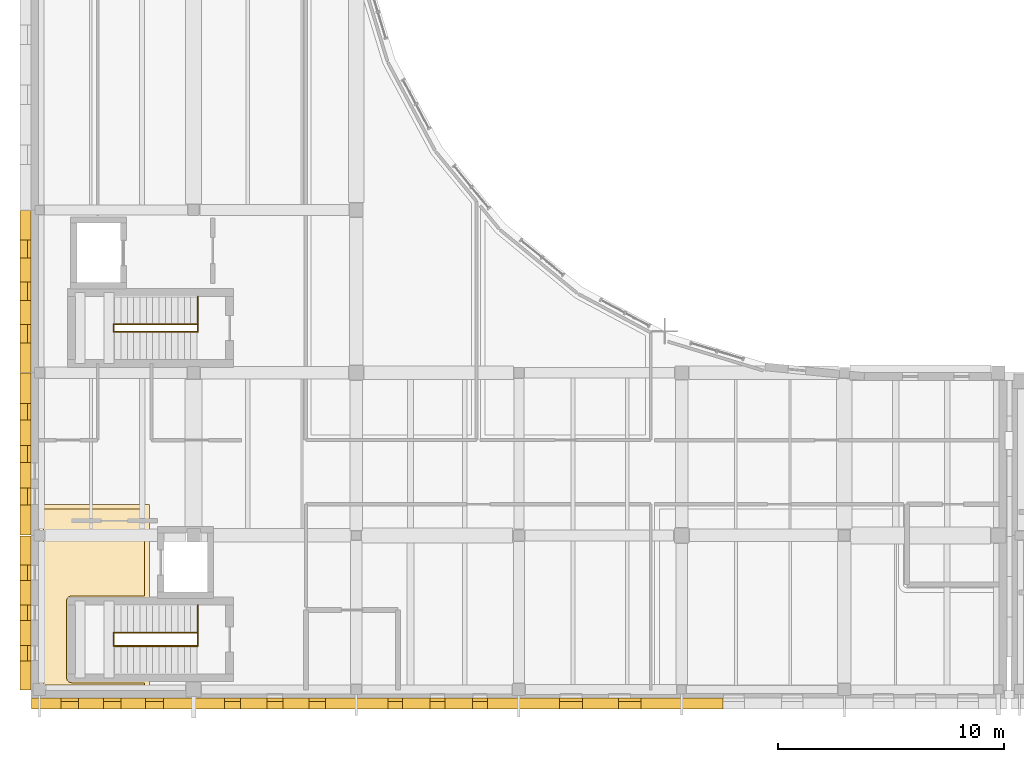
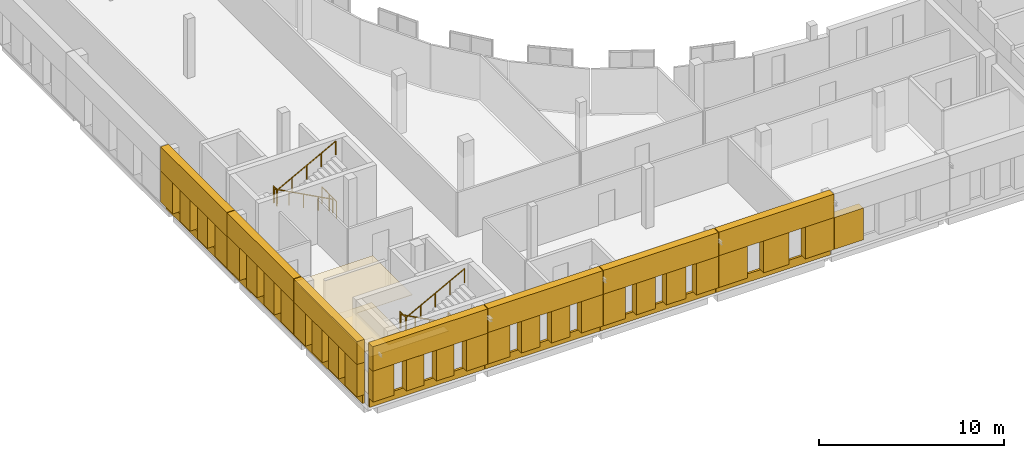
# One storey, part 65 of 76: 44 coverings, 8 railings.
"""IFC4 building model written with IfcOpenShell, lengths in metres."""

from ifc_helpers import new_model, si_unit, direction, frame, origin, origin_2d, place, context, subcontext, project, spatial, polyline, circle, outline, extrude, material, layer, layer_set, type_object, element, save


model = new_model("IFC4")

# Units and contexts
model_context = context("Model", 3, precision=1e-05, world=origin(), true_north=direction((0.0, 1.0)))
body_context = subcontext(model_context, "Body", "Model", "MODEL_VIEW")
ifc_project = project(units=[si_unit("LENGTHUNIT", "METRE"), si_unit("AREAUNIT", "SQUARE_METRE"), si_unit("VOLUMEUNIT", "CUBIC_METRE"), si_unit("PLANEANGLEUNIT", "RADIAN"), si_unit("MASSUNIT", "GRAM", prefix="KILO")], contexts=[model_context])

# Site, building, storey
site_placement = place(None, origin())
site = spatial("IfcSite", under=ifc_project, at=site_placement, CompositionType="ELEMENT")
building_placement = place(site_placement, origin())
building = spatial("IfcBuilding", under=site, at=building_placement, Name="Vardoun Plaza Health Centre", CompositionType="ELEMENT")
storey_placement = place(building_placement, frame((0.0, 0.0, 4.5)))
storey = spatial("IfcBuildingStorey", under=building, at=storey_placement, Name="L01", CompositionType="ELEMENT", Elevation=4.5)

# Coverings
ifc_material_1 = material(Name="Hygienic Acoustic Mineral-Fibre Ceiling", Category="concrete")
ifc_layer_1 = layer(ifc_material_1, 0.02490234375)
ifc_layer_set_1 = layer_set([ifc_layer_1], Name="Hygienic Acoustic Mineral-Fibre Ceiling")
covering_type_1 = type_object("IfcCoveringType", Name="CL-01", PredefinedType="CEILING", material=ifc_layer_set_1)
covering_1_placement = place(storey_placement, frame((0.0, 0.0, 2.8798828125)))
element("IfcCovering", 1, at=covering_1_placement, inside=storey, type_object=covering_type_1, Name="GP Consulting Room 11 A Acoustic Ceiling", PredefinedType="CEILING", context=body_context, shape_type="SweptSolid", body=[
    extrude(outline(polyline([(4.860107421875, 13.070068359375), (9.75, 13.070068359375), (9.75, 8.81005859375), (6.300048828125, 8.81005859375), (6.299072265625, 8.81005859375), (6.298095703125, 8.809814453125), (6.297119140625, 8.8095703125), (6.296142578125, 8.80908203125), (6.29541015625, 8.808837890625), (6.29443359375, 8.808349609375), (6.293701171875, 8.8076171875), (6.29296875, 8.80712890625), (6.292236328125, 8.806396484375), (6.291748046875, 8.8056640625), (6.291259765625, 8.8046875), (6.290771484375, 8.8037109375), (6.290283203125, 8.802978515625), (6.290283203125, 8.802001953125), (6.2900390625, 8.801025390625), (6.2900390625, 8.800048828125), (6.2900390625, 5.39990234375), (6.2900390625, 5.39892578125), (6.290283203125, 5.39794921875), (6.290283203125, 5.397216796875), (6.290771484375, 5.396240234375), (6.291259765625, 5.395263671875), (6.291748046875, 5.394287109375), (6.292236328125, 5.393798828125), (6.29296875, 5.392822265625), (6.293701171875, 5.392333984375), (6.29443359375, 5.3916015625), (6.29541015625, 5.39111328125), (6.296142578125, 5.390869140625), (6.297119140625, 5.390380859375), (6.298095703125, 5.39013671875), (6.299072265625, 5.389892578125), (6.300048828125, 5.389892578125), (9.75, 5.389892578125), (9.75, 4.860107421875), (4.860107421875, 4.860107421875), (4.860107421875, 13.070068359375)])), origin(), (0.0, 0.0, 1.0), 0.025146484375),
])
ifc_material_2 = material(Name="Pale Limestone Concrete C35/45", Category="masonry")
ifc_layer_2 = layer(ifc_material_2, 0.080078125)
ifc_layer_set_2 = layer_set([ifc_layer_2], Name="Pale Limestone Concrete C35/45")
covering_type_2 = type_object("IfcCoveringType", Name="CL-EXT1", PredefinedType="CLADDING", material=ifc_layer_set_2)
covering_2_placement = place(storey_placement, frame((0.0, 0.0, 0.550048828125)))
element("IfcCovering", 2, at=covering_2_placement, inside=storey, type_object=covering_type_2, Name="V2 L01 Deep-Punched Slot Concrete Reveal Pier 93", PredefinedType="CLADDING", context=body_context, shape_type="SweptSolid", body=[
    extrude(outline(polyline([(35.1240234375, 4.5), (33.320068359375, 4.5), (33.320068359375, 4.02001953125), (35.1240234375, 4.02001953125), (35.1240234375, 4.5)])), origin(), (0.0, 0.0, 1.0), 2.099853515625),
])
covering_3_placement = place(storey_placement, origin())
element("IfcCovering", 3, at=covering_3_placement, inside=storey, type_object=covering_type_2, Name="V2 L01 Pale Concrete Sill Band 94", PredefinedType="CLADDING", context=body_context, shape_type="SweptSolid", body=[
    extrude(outline(polyline([(33.280029296875, 4.5), (26.1201171875, 4.5), (26.1201171875, 4.360107421875), (33.280029296875, 4.360107421875), (33.280029296875, 4.5)])), origin(), (0.0, 0.0, 1.0), 0.550048828125),
])
covering_4_placement = place(storey_placement, frame((0.0, 0.0, 2.64990234375)))
element("IfcCovering", 4, at=covering_4_placement, inside=storey, type_object=covering_type_2, Name="V2 L01 Sculpted Concrete Eyebrow Hood 95", PredefinedType="CLADDING", context=body_context, shape_type="SweptSolid", body=[
    extrude(outline(polyline([(33.280029296875, 4.5), (26.1201171875, 4.5), (26.1201171875, 4.02001953125), (33.280029296875, 4.02001953125), (33.280029296875, 4.5)])), origin(), (0.0, 0.0, 1.0), 1.550048828125),
])
covering_5_placement = place(storey_placement, frame((0.0, 0.0, 0.550048828125)))
element("IfcCovering", 5, at=covering_5_placement, inside=storey, type_object=covering_type_2, Name="V2 L01 Deep-Punched Slot Concrete Reveal Pier 96", PredefinedType="CLADDING", context=body_context, shape_type="SweptSolid", body=[
    extrude(outline(polyline([(33.280029296875, 4.5), (31.49609375, 4.5), (31.49609375, 4.02001953125), (33.280029296875, 4.02001953125), (33.280029296875, 4.5)])), origin(), (0.0, 0.0, 1.0), 2.099853515625),
])
covering_6_placement = place(storey_placement, frame((0.0, 0.0, 0.550048828125)))
element("IfcCovering", 6, at=covering_6_placement, inside=storey, type_object=covering_type_2, Name="V2 L01 Deep-Punched Slot Concrete Reveal Pier 97", PredefinedType="CLADDING", context=body_context, shape_type="SweptSolid", body=[
    extrude(outline(polyline([(30.49609375, 4.5), (28.904052734375, 4.5), (28.904052734375, 4.02001953125), (30.49609375, 4.02001953125), (30.49609375, 4.5)])), origin(), (0.0, 0.0, 1.0), 2.099853515625),
])
covering_7_placement = place(storey_placement, frame((0.0, 0.0, 0.550048828125)))
element("IfcCovering", 7, at=covering_7_placement, inside=storey, type_object=covering_type_2, Name="V2 L01 Deep-Punched Slot Concrete Reveal Pier 98", PredefinedType="CLADDING", context=body_context, shape_type="SweptSolid", body=[
    extrude(outline(polyline([(27.904052734375, 4.5), (26.1201171875, 4.5), (26.1201171875, 4.02001953125), (27.904052734375, 4.02001953125), (27.904052734375, 4.5)])), origin(), (0.0, 0.0, 1.0), 2.099853515625),
])
covering_8_placement = place(storey_placement, origin())
element("IfcCovering", 8, at=covering_8_placement, inside=storey, type_object=covering_type_2, Name="V2 L01 Pale Concrete Sill Band 99", PredefinedType="CLADDING", context=body_context, shape_type="SweptSolid", body=[
    extrude(outline(polyline([(26.080078125, 4.5), (18.919921875, 4.5), (18.919921875, 4.360107421875), (26.080078125, 4.360107421875), (26.080078125, 4.5)])), origin(), (0.0, 0.0, 1.0), 0.550048828125),
])
covering_9_placement = place(storey_placement, frame((0.0, 0.0, 2.6298828125)))
element("IfcCovering", 9, at=covering_9_placement, inside=storey, type_object=covering_type_2, Name="V2 L01 Sculpted Concrete Eyebrow Hood 100", PredefinedType="CLADDING", context=body_context, shape_type="SweptSolid", body=[
    extrude(outline(polyline([(26.080078125, 4.5), (18.919921875, 4.5), (18.919921875, 4.02001953125), (26.080078125, 4.02001953125), (26.080078125, 4.5)])), origin(), (0.0, 0.0, 1.0), 1.570068359375),
])
covering_10_placement = place(storey_placement, frame((0.0, 0.0, 0.550048828125)))
element("IfcCovering", 10, at=covering_10_placement, inside=storey, type_object=covering_type_2, Name="V2 L01 Deep-Punched Slot Concrete Reveal Pier 101", PredefinedType="CLADDING", context=body_context, shape_type="SweptSolid", body=[
    extrude(outline(polyline([(26.080078125, 4.5), (24.701904296875, 4.5), (24.701904296875, 4.02001953125), (26.080078125, 4.02001953125), (26.080078125, 4.5)])), origin(), (0.0, 0.0, 1.0), 2.079833984375),
])
covering_11_placement = place(storey_placement, frame((0.0, 0.0, 0.550048828125)))
element("IfcCovering", 11, at=covering_11_placement, inside=storey, type_object=covering_type_2, Name="V2 L01 Deep-Punched Slot Concrete Reveal Pier 102", PredefinedType="CLADDING", context=body_context, shape_type="SweptSolid", body=[
    extrude(outline(polyline([(24.0419921875, 4.5), (22.830078125, 4.5), (22.830078125, 4.02001953125), (24.0419921875, 4.02001953125), (24.0419921875, 4.5)])), origin(), (0.0, 0.0, 1.0), 2.079833984375),
])
covering_12_placement = place(storey_placement, frame((0.0, 0.0, 0.550048828125)))
element("IfcCovering", 12, at=covering_12_placement, inside=storey, type_object=covering_type_2, Name="V2 L01 Deep-Punched Slot Concrete Reveal Pier 103", PredefinedType="CLADDING", context=body_context, shape_type="SweptSolid", body=[
    extrude(outline(polyline([(22.169921875, 4.5), (20.9580078125, 4.5), (20.9580078125, 4.02001953125), (22.169921875, 4.02001953125), (22.169921875, 4.5)])), origin(), (0.0, 0.0, 1.0), 2.079833984375),
])
covering_13_placement = place(storey_placement, frame((0.0, 0.0, 0.550048828125)))
element("IfcCovering", 13, at=covering_13_placement, inside=storey, type_object=covering_type_2, Name="V2 L01 Deep-Punched Slot Concrete Reveal Pier 104", PredefinedType="CLADDING", context=body_context, shape_type="SweptSolid", body=[
    extrude(outline(polyline([(20.298095703125, 4.5), (18.919921875, 4.5), (18.919921875, 4.02001953125), (20.298095703125, 4.02001953125), (20.298095703125, 4.5)])), origin(), (0.0, 0.0, 1.0), 2.079833984375),
])
covering_14_placement = place(storey_placement, origin())
element("IfcCovering", 14, at=covering_14_placement, inside=storey, type_object=covering_type_2, Name="V2 L01 Pale Concrete Sill Band 105", PredefinedType="CLADDING", context=body_context, shape_type="SweptSolid", body=[
    extrude(outline(polyline([(18.8798828125, 4.5), (11.719970703125, 4.5), (11.719970703125, 4.360107421875), (18.8798828125, 4.360107421875), (18.8798828125, 4.5)])), origin(), (0.0, 0.0, 1.0), 0.550048828125),
])
covering_15_placement = place(storey_placement, frame((0.0, 0.0, 2.6298828125)))
element("IfcCovering", 15, at=covering_15_placement, inside=storey, type_object=covering_type_2, Name="V2 L01 Sculpted Concrete Eyebrow Hood 106", PredefinedType="CLADDING", context=body_context, shape_type="SweptSolid", body=[
    extrude(outline(polyline([(18.8798828125, 4.5), (11.719970703125, 4.5), (11.719970703125, 4.02001953125), (18.8798828125, 4.02001953125), (18.8798828125, 4.5)])), origin(), (0.0, 0.0, 1.0), 1.570068359375),
])
covering_16_placement = place(storey_placement, frame((0.0, 0.0, 0.550048828125)))
element("IfcCovering", 16, at=covering_16_placement, inside=storey, type_object=covering_type_2, Name="V2 L01 Deep-Punched Slot Concrete Reveal Pier 107", PredefinedType="CLADDING", context=body_context, shape_type="SweptSolid", body=[
    extrude(outline(polyline([(18.8798828125, 4.5), (17.531982421875, 4.5), (17.531982421875, 4.02001953125), (18.8798828125, 4.02001953125), (18.8798828125, 4.5)])), origin(), (0.0, 0.0, 1.0), 2.079833984375),
])
covering_17_placement = place(storey_placement, frame((0.0, 0.0, 0.550048828125)))
element("IfcCovering", 17, at=covering_17_placement, inside=storey, type_object=covering_type_2, Name="V2 L01 Deep-Punched Slot Concrete Reveal Pier 108", PredefinedType="CLADDING", context=body_context, shape_type="SweptSolid", body=[
    extrude(outline(polyline([(16.81201171875, 4.5), (15.659912109375, 4.5), (15.659912109375, 4.02001953125), (16.81201171875, 4.02001953125), (16.81201171875, 4.5)])), origin(), (0.0, 0.0, 1.0), 2.079833984375),
])
covering_18_placement = place(storey_placement, frame((0.0, 0.0, 0.550048828125)))
element("IfcCovering", 18, at=covering_18_placement, inside=storey, type_object=covering_type_2, Name="V2 L01 Deep-Punched Slot Concrete Reveal Pier 109", PredefinedType="CLADDING", context=body_context, shape_type="SweptSolid", body=[
    extrude(outline(polyline([(14.93994140625, 4.5), (13.7880859375, 4.5), (13.7880859375, 4.02001953125), (14.93994140625, 4.02001953125), (14.93994140625, 4.5)])), origin(), (0.0, 0.0, 1.0), 2.079833984375),
])
covering_19_placement = place(storey_placement, frame((0.0, 0.0, 0.550048828125)))
element("IfcCovering", 19, at=covering_19_placement, inside=storey, type_object=covering_type_2, Name="V2 L01 Deep-Punched Slot Concrete Reveal Pier 110", PredefinedType="CLADDING", context=body_context, shape_type="SweptSolid", body=[
    extrude(outline(polyline([(13.068115234375, 4.5), (11.719970703125, 4.5), (11.719970703125, 4.02001953125), (13.068115234375, 4.02001953125), (13.068115234375, 4.5)])), origin(), (0.0, 0.0, 1.0), 2.079833984375),
])
covering_20_placement = place(storey_placement, origin())
element("IfcCovering", 20, at=covering_20_placement, inside=storey, type_object=covering_type_2, Name="V2 L01 Pale Concrete Sill Band 111", PredefinedType="CLADDING", context=body_context, shape_type="SweptSolid", body=[
    extrude(outline(polyline([(11.679931640625, 4.5), (4.52001953125, 4.5), (4.52001953125, 4.360107421875), (11.679931640625, 4.360107421875), (11.679931640625, 4.5)])), origin(), (0.0, 0.0, 1.0), 0.550048828125),
])
covering_21_placement = place(storey_placement, frame((0.0, 0.0, 2.590087890625)))
element("IfcCovering", 21, at=covering_21_placement, inside=storey, type_object=covering_type_2, Name="V2 L01 Sculpted Concrete Eyebrow Hood 112", PredefinedType="CLADDING", context=body_context, shape_type="SweptSolid", body=[
    extrude(outline(polyline([(11.679931640625, 4.5), (4.52001953125, 4.5), (4.52001953125, 4.02001953125), (11.679931640625, 4.02001953125), (11.679931640625, 4.5)])), origin(), (0.0, 0.0, 1.0), 1.60986328125),
])
covering_22_placement = place(storey_placement, frame((0.0, 0.0, 0.550048828125)))
element("IfcCovering", 22, at=covering_22_placement, inside=storey, type_object=covering_type_2, Name="V2 L01 Deep-Punched Slot Concrete Reveal Pier 113", PredefinedType="CLADDING", context=body_context, shape_type="SweptSolid", body=[
    extrude(outline(polyline([(11.679931640625, 4.5), (10.362060546875, 4.5), (10.362060546875, 4.02001953125), (11.679931640625, 4.02001953125), (11.679931640625, 4.5)])), origin(), (0.0, 0.0, 1.0), 2.0400390625),
])
covering_23_placement = place(storey_placement, frame((0.0, 0.0, 0.550048828125)))
element("IfcCovering", 23, at=covering_23_placement, inside=storey, type_object=covering_type_2, Name="V2 L01 Deep-Punched Slot Concrete Reveal Pier 114", PredefinedType="CLADDING", context=body_context, shape_type="SweptSolid", body=[
    extrude(outline(polyline([(9.58203125, 4.5), (8.489990234375, 4.5), (8.489990234375, 4.02001953125), (9.58203125, 4.02001953125), (9.58203125, 4.5)])), origin(), (0.0, 0.0, 1.0), 2.0400390625),
])
covering_24_placement = place(storey_placement, frame((0.0, 0.0, 0.550048828125)))
element("IfcCovering", 24, at=covering_24_placement, inside=storey, type_object=covering_type_2, Name="V2 L01 Deep-Punched Slot Concrete Reveal Pier 115", PredefinedType="CLADDING", context=body_context, shape_type="SweptSolid", body=[
    extrude(outline(polyline([(7.7099609375, 4.5), (6.617919921875, 4.5), (6.617919921875, 4.02001953125), (7.7099609375, 4.02001953125), (7.7099609375, 4.5)])), origin(), (0.0, 0.0, 1.0), 2.0400390625),
])
covering_25_placement = place(storey_placement, frame((0.0, 0.0, 0.550048828125)))
element("IfcCovering", 25, at=covering_25_placement, inside=storey, type_object=covering_type_2, Name="V2 L01 Deep-Punched Slot Concrete Reveal Pier 116", PredefinedType="CLADDING", context=body_context, shape_type="SweptSolid", body=[
    extrude(outline(polyline([(5.837890625, 4.5), (4.52001953125, 4.5), (4.52001953125, 4.02001953125), (5.837890625, 4.02001953125), (5.837890625, 4.5)])), origin(), (0.0, 0.0, 1.0), 2.0400390625),
])
covering_26_placement = place(storey_placement, origin())
element("IfcCovering", 26, at=covering_26_placement, inside=storey, type_object=covering_type_2, Name="V2 L01 Pale Concrete Sill Band 117", PredefinedType="CLADDING", context=body_context, shape_type="SweptSolid", body=[
    extrude(outline(polyline([(4.5, 4.864990234375), (4.5, 11.679931640625), (4.360107421875, 11.679931640625), (4.360107421875, 4.864990234375), (4.5, 4.864990234375)])), origin(), (0.0, 0.0, 1.0), 0.550048828125),
])
covering_27_placement = place(storey_placement, frame((0.0, 0.0, 2.68994140625)))
element("IfcCovering", 27, at=covering_27_placement, inside=storey, type_object=covering_type_2, Name="V2 L01 Sculpted Concrete Eyebrow Hood 118", PredefinedType="CLADDING", context=body_context, shape_type="SweptSolid", body=[
    extrude(outline(polyline([(4.5, 4.864990234375), (4.5, 11.679931640625), (4.02001953125, 11.679931640625), (4.02001953125, 4.864990234375), (4.5, 4.864990234375)])), origin(), (0.0, 0.0, 1.0), 1.510009765625),
])
covering_28_placement = place(storey_placement, frame((0.0, 0.0, 0.550048828125)))
element("IfcCovering", 28, at=covering_28_placement, inside=storey, type_object=covering_type_2, Name="V2 L01 Deep-Punched Slot Concrete Reveal Pier 119", PredefinedType="CLADDING", context=body_context, shape_type="SweptSolid", body=[
    extrude(outline(polyline([(4.5, 4.864990234375), (4.5, 6.145263671875), (4.02001953125, 6.145263671875), (4.02001953125, 4.864990234375), (4.5, 4.864990234375)])), origin(), (0.0, 0.0, 1.0), 2.139892578125),
])
covering_29_placement = place(storey_placement, frame((0.0, 0.0, 0.550048828125)))
element("IfcCovering", 29, at=covering_29_placement, inside=storey, type_object=covering_type_2, Name="V2 L01 Deep-Punched Slot Concrete Reveal Pier 120", PredefinedType="CLADDING", context=body_context, shape_type="SweptSolid", body=[
    extrude(outline(polyline([(4.5, 6.835205078125), (4.5, 7.927490234375), (4.02001953125, 7.927490234375), (4.02001953125, 6.835205078125), (4.5, 6.835205078125)])), origin(), (0.0, 0.0, 1.0), 2.139892578125),
])
covering_30_placement = place(storey_placement, frame((0.0, 0.0, 0.550048828125)))
element("IfcCovering", 30, at=covering_30_placement, inside=storey, type_object=covering_type_2, Name="V2 L01 Deep-Punched Slot Concrete Reveal Pier 121", PredefinedType="CLADDING", context=body_context, shape_type="SweptSolid", body=[
    extrude(outline(polyline([(4.5, 8.617431640625), (4.5, 9.709716796875), (4.02001953125, 9.709716796875), (4.02001953125, 8.617431640625), (4.5, 8.617431640625)])), origin(), (0.0, 0.0, 1.0), 2.139892578125),
])
covering_31_placement = place(storey_placement, frame((0.0, 0.0, 0.550048828125)))
element("IfcCovering", 31, at=covering_31_placement, inside=storey, type_object=covering_type_2, Name="V2 L01 Deep-Punched Slot Concrete Reveal Pier 122", PredefinedType="CLADDING", context=body_context, shape_type="SweptSolid", body=[
    extrude(outline(polyline([(4.5, 10.39990234375), (4.5, 11.679931640625), (4.02001953125, 11.679931640625), (4.02001953125, 10.39990234375), (4.5, 10.39990234375)])), origin(), (0.0, 0.0, 1.0), 2.139892578125),
])
covering_32_placement = place(storey_placement, origin())
element("IfcCovering", 32, at=covering_32_placement, inside=storey, type_object=covering_type_2, Name="V2 L01 Pale Concrete Sill Band 123", PredefinedType="CLADDING", context=body_context, shape_type="SweptSolid", body=[
    extrude(outline(polyline([(4.5, 11.719970703125), (4.5, 18.8798828125), (4.360107421875, 18.8798828125), (4.360107421875, 11.719970703125), (4.5, 11.719970703125)])), origin(), (0.0, 0.0, 1.0), 0.550048828125),
])
covering_33_placement = place(storey_placement, frame((0.0, 0.0, 2.68994140625)))
element("IfcCovering", 33, at=covering_33_placement, inside=storey, type_object=covering_type_2, Name="V2 L01 Sculpted Concrete Eyebrow Hood 124", PredefinedType="CLADDING", context=body_context, shape_type="SweptSolid", body=[
    extrude(outline(polyline([(4.5, 11.719970703125), (4.5, 18.8798828125), (4.02001953125, 18.8798828125), (4.02001953125, 11.719970703125), (4.5, 11.719970703125)])), origin(), (0.0, 0.0, 1.0), 1.510009765625),
])
covering_34_placement = place(storey_placement, frame((0.0, 0.0, 0.550048828125)))
element("IfcCovering", 34, at=covering_34_placement, inside=storey, type_object=covering_type_2, Name="V2 L01 Deep-Punched Slot Concrete Reveal Pier 125", PredefinedType="CLADDING", context=body_context, shape_type="SweptSolid", body=[
    extrude(outline(polyline([(4.5, 11.719970703125), (4.5, 13.052978515625), (4.02001953125, 13.052978515625), (4.02001953125, 11.719970703125), (4.5, 11.719970703125)])), origin(), (0.0, 0.0, 1.0), 2.139892578125),
])
covering_35_placement = place(storey_placement, frame((0.0, 0.0, 0.550048828125)))
element("IfcCovering", 35, at=covering_35_placement, inside=storey, type_object=covering_type_2, Name="V2 L01 Deep-Punched Slot Concrete Reveal Pier 126", PredefinedType="CLADDING", context=body_context, shape_type="SweptSolid", body=[
    extrude(outline(polyline([(4.5, 13.802978515625), (4.5, 14.925048828125), (4.02001953125, 14.925048828125), (4.02001953125, 13.802978515625), (4.5, 13.802978515625)])), origin(), (0.0, 0.0, 1.0), 2.139892578125),
])
covering_36_placement = place(storey_placement, frame((0.0, 0.0, 0.550048828125)))
element("IfcCovering", 36, at=covering_36_placement, inside=storey, type_object=covering_type_2, Name="V2 L01 Deep-Punched Slot Concrete Reveal Pier 127", PredefinedType="CLADDING", context=body_context, shape_type="SweptSolid", body=[
    extrude(outline(polyline([(4.5, 15.675048828125), (4.5, 16.797119140625), (4.02001953125, 16.797119140625), (4.02001953125, 15.675048828125), (4.5, 15.675048828125)])), origin(), (0.0, 0.0, 1.0), 2.139892578125),
])
covering_37_placement = place(storey_placement, frame((0.0, 0.0, 0.550048828125)))
element("IfcCovering", 37, at=covering_37_placement, inside=storey, type_object=covering_type_2, Name="V2 L01 Deep-Punched Slot Concrete Reveal Pier 128", PredefinedType="CLADDING", context=body_context, shape_type="SweptSolid", body=[
    extrude(outline(polyline([(4.5, 17.547119140625), (4.5, 18.8798828125), (4.02001953125, 18.8798828125), (4.02001953125, 17.547119140625), (4.5, 17.547119140625)])), origin(), (0.0, 0.0, 1.0), 2.139892578125),
])
covering_38_placement = place(storey_placement, origin())
element("IfcCovering", 38, at=covering_38_placement, inside=storey, type_object=covering_type_2, Name="V2 L01 Pale Concrete Sill Band 129", PredefinedType="CLADDING", context=body_context, shape_type="SweptSolid", body=[
    extrude(outline(polyline([(4.5, 18.919921875), (4.5, 26.080078125), (4.360107421875, 26.080078125), (4.360107421875, 18.919921875), (4.5, 18.919921875)])), origin(), (0.0, 0.0, 1.0), 0.550048828125),
])
covering_39_placement = place(storey_placement, frame((0.0, 0.0, 2.610107421875)))
element("IfcCovering", 39, at=covering_39_placement, inside=storey, type_object=covering_type_2, Name="V2 L01 Sculpted Concrete Eyebrow Hood 130", PredefinedType="CLADDING", context=body_context, shape_type="SweptSolid", body=[
    extrude(outline(polyline([(4.5, 18.919921875), (4.5, 26.080078125), (4.02001953125, 26.080078125), (4.02001953125, 18.919921875), (4.5, 18.919921875)])), origin(), (0.0, 0.0, 1.0), 1.58984375),
])
covering_40_placement = place(storey_placement, frame((0.0, 0.0, 0.550048828125)))
element("IfcCovering", 40, at=covering_40_placement, inside=storey, type_object=covering_type_2, Name="V2 L01 Deep-Punched Slot Concrete Reveal Pier 131", PredefinedType="CLADDING", context=body_context, shape_type="SweptSolid", body=[
    extrude(outline(polyline([(4.5, 18.919921875), (4.5, 20.222900390625), (4.02001953125, 20.222900390625), (4.02001953125, 18.919921875), (4.5, 18.919921875)])), origin(), (0.0, 0.0, 1.0), 2.06005859375),
])
covering_41_placement = place(storey_placement, frame((0.0, 0.0, 0.550048828125)))
element("IfcCovering", 41, at=covering_41_placement, inside=storey, type_object=covering_type_2, Name="V2 L01 Deep-Punched Slot Concrete Reveal Pier 132", PredefinedType="CLADDING", context=body_context, shape_type="SweptSolid", body=[
    extrude(outline(polyline([(4.5, 21.032958984375), (4.5, 22.094970703125), (4.02001953125, 22.094970703125), (4.02001953125, 21.032958984375), (4.5, 21.032958984375)])), origin(), (0.0, 0.0, 1.0), 2.06005859375),
])
covering_42_placement = place(storey_placement, frame((0.0, 0.0, 0.550048828125)))
element("IfcCovering", 42, at=covering_42_placement, inside=storey, type_object=covering_type_2, Name="V2 L01 Deep-Punched Slot Concrete Reveal Pier 133", PredefinedType="CLADDING", context=body_context, shape_type="SweptSolid", body=[
    extrude(outline(polyline([(4.5, 22.905029296875), (4.5, 23.967041015625), (4.02001953125, 23.967041015625), (4.02001953125, 22.905029296875), (4.5, 22.905029296875)])), origin(), (0.0, 0.0, 1.0), 2.06005859375),
])
covering_43_placement = place(storey_placement, frame((0.0, 0.0, 0.550048828125)))
element("IfcCovering", 43, at=covering_43_placement, inside=storey, type_object=covering_type_2, Name="V2 L01 Deep-Punched Slot Concrete Reveal Pier 134", PredefinedType="CLADDING", context=body_context, shape_type="SweptSolid", body=[
    extrude(outline(polyline([(4.5, 24.777099609375), (4.5, 26.080078125), (4.02001953125, 26.080078125), (4.02001953125, 24.777099609375), (4.5, 24.777099609375)])), origin(), (0.0, 0.0, 1.0), 2.06005859375),
])
ifc_material_3 = material(Name="Seamless Conductive Clinical Vinyl Flooring", Category="concrete")
ifc_layer_3 = layer(ifc_material_3, 0.014892578125)
ifc_layer_set_3 = layer_set([ifc_layer_3], Name="Seamless Conductive Clinical Vinyl Flooring")
covering_type_3 = type_object("IfcCoveringType", Name="FL-01", PredefinedType="FLOORING", material=ifc_layer_set_3)
covering_44_placement = place(storey_placement, origin())
element("IfcCovering", 44, at=covering_44_placement, inside=storey, type_object=covering_type_3, Name="GP Consulting Room 11 A Floor Finish", PredefinedType="FLOORING", context=body_context, shape_type="SweptSolid", body=[
    extrude(outline(polyline([(5.070068359375, 12.860107421875), (9.5400390625, 12.860107421875), (9.5400390625, 9.02001953125), (6.300048828125, 9.02001953125), (6.2783203125, 9.018798828125), (6.257080078125, 9.015869140625), (6.236083984375, 9.010498046875), (6.2158203125, 9.00341796875), (6.1962890625, 8.993896484375), (6.177734375, 8.98291015625), (6.160400390625, 8.97021484375), (6.144287109375, 8.95556640625), (6.1298828125, 8.939697265625), (6.1171875, 8.922119140625), (6.10595703125, 8.90380859375), (6.0966796875, 8.88427734375), (6.089599609375, 8.864013671875), (6.084228515625, 8.843017578125), (6.0810546875, 8.821533203125), (6.080078125, 8.800048828125), (6.080078125, 5.39990234375), (6.0810546875, 5.37841796875), (6.084228515625, 5.357177734375), (6.089599609375, 5.336181640625), (6.0966796875, 5.31591796875), (6.10595703125, 5.29638671875), (6.1171875, 5.27783203125), (6.1298828125, 5.260498046875), (6.144287109375, 5.244384765625), (6.160400390625, 5.22998046875), (6.177734375, 5.217041015625), (6.1962890625, 5.2060546875), (6.2158203125, 5.19677734375), (6.236083984375, 5.189453125), (6.257080078125, 5.18408203125), (6.2783203125, 5.18115234375), (6.300048828125, 5.179931640625), (9.5400390625, 5.179931640625), (9.5400390625, 5.070068359375), (5.070068359375, 5.070068359375), (5.070068359375, 12.860107421875)])), origin(), (0.0, 0.0, 1.0), 0.014892578125),
])

# Railings
ifc_material_4 = material(Name="Painted Steel S275JR Stair-Well Guardrail", Category="steel")
railing_type_1 = type_object("IfcRailingType", Name="GR-04", PredefinedType="GUARDRAIL", material=ifc_material_4)
railing_1_placement = place(storey_placement, frame((11.889892578125, 6.804931640625, 0.0)))
element("IfcRailing", 45, at=railing_1_placement, inside=storey, type_object=railing_type_1, Name="Stair ST-C1-L00 Upper Landing Well Guard", PredefinedType="GUARDRAIL", context=body_context, shape_type="SweptSolid", body=[
    extrude(circle(Radius=0.02392578125, at=origin_2d()), frame((0.0, 0.0, 1.09619140625), z_axis=(0.0, 1.0, 0.0), x_axis=(-1.0, 0.0, 0.0)), (0.0, 0.0, 1.0), 1.815185546875),
    extrude(circle(Radius=0.02099609375, at=origin_2d()), origin(), (0.0, 0.0, 1.0), 1.072021484375),
    extrude(circle(Radius=0.02099609375, at=origin_2d()), frame((0.0, 0.90771484375, 0.0)), (0.0, 0.0, 1.0), 1.072021484375),
    extrude(circle(Radius=0.02099609375, at=origin_2d()), frame((0.0, 1.815185546875, 0.0)), (0.0, 0.0, 1.0), 1.072021484375),
])
railing_2_placement = place(storey_placement, frame((8.169921875, 6.804931640625, 2.10009765625)))
element("IfcRailing", 46, at=railing_2_placement, inside=storey, type_object=railing_type_1, Name="Stair ST-C1-L01 Mid-Landing Well Guard", PredefinedType="GUARDRAIL", context=body_context, shape_type="SweptSolid", body=[
    extrude(circle(Radius=0.02392578125, at=origin_2d()), frame((0.0, 0.0, 1.09619140625), z_axis=(0.0, 1.0, 0.0), x_axis=(-1.0, 0.0, 0.0)), (0.0, 0.0, 1.0), 0.590087890625),
    extrude(circle(Radius=0.02099609375, at=origin_2d()), origin(), (0.0, 0.0, 1.0), 1.072021484375),
    extrude(circle(Radius=0.02099609375, at=origin_2d()), frame((0.0, 0.590087890625, 0.0)), (0.0, 0.0, 1.0), 1.072021484375),
])
railing_3_placement = place(storey_placement, frame((11.889892578125, 20.705078125, 0.0)))
element("IfcRailing", 47, at=railing_3_placement, inside=storey, type_object=railing_type_1, Name="Stair ST-C2-L00 Upper Landing Well Guard", PredefinedType="GUARDRAIL", context=body_context, shape_type="SweptSolid", body=[
    extrude(circle(Radius=0.02392578125, at=origin_2d()), frame((0.0, 0.0, 1.09619140625), z_axis=(0.0, 1.0, 0.0), x_axis=(-1.0, 0.0, 0.0)), (0.0, 0.0, 1.0), 1.56494140625),
    extrude(circle(Radius=0.02099609375, at=origin_2d()), origin(), (0.0, 0.0, 1.0), 1.072021484375),
    extrude(circle(Radius=0.02099609375, at=origin_2d()), frame((0.0, 0.782470703125, 0.0)), (0.0, 0.0, 1.0), 1.072021484375),
    extrude(circle(Radius=0.02099609375, at=origin_2d()), frame((0.0, 1.56494140625, 0.0)), (0.0, 0.0, 1.0), 1.072021484375),
])
railing_4_placement = place(storey_placement, frame((8.169921875, 20.705078125, 2.10009765625)))
element("IfcRailing", 48, at=railing_4_placement, inside=storey, type_object=railing_type_1, Name="Stair ST-C2-L01 Mid-Landing Well Guard", PredefinedType="GUARDRAIL", context=body_context, shape_type="SweptSolid", body=[
    extrude(circle(Radius=0.02392578125, at=origin_2d()), frame((0.0, 0.0, 1.09619140625), z_axis=(0.0, 1.0, 0.0), x_axis=(-1.0, 0.0, 0.0)), (0.0, 0.0, 1.0), 0.33984375),
    extrude(circle(Radius=0.02099609375, at=origin_2d()), origin(), (0.0, 0.0, 1.0), 1.072021484375),
    extrude(circle(Radius=0.02099609375, at=origin_2d()), frame((0.0, 0.33984375, 0.0)), (0.0, 0.0, 1.0), 1.072021484375),
])
ifc_material_5 = material(Name="Brushed Stainless Steel Grade 316L", Category="steel")
railing_type_2 = type_object("IfcRailingType", Name="HR-01", PredefinedType="HANDRAIL", material=ifc_material_5)
railing_5_placement = place(storey_placement, frame((11.85009765625, 7.39501953125, 0.14990234375)))
element("IfcRailing", 49, at=railing_5_placement, inside=storey, type_object=railing_type_2, Name="Stair ST-C1-L01 Flight 1 Handrail", PredefinedType="HANDRAIL", context=body_context, shape_type="SweptSolid", body=[
    extrude(circle(Radius=0.02392578125, at=origin_2d()), frame((0.0, 0.0, 0.89599609375), z_axis=(-0.881467665431, 0.0, 0.47224438038), x_axis=(0.0, -1.0, 0.0)), (0.0, 0.0, 1.0), 4.129638671875),
    extrude(circle(Radius=0.02099609375, at=origin_2d()), origin(), (0.0, 0.0, 1.0), 0.871826171875),
    extrude(circle(Radius=0.02099609375, at=origin_2d()), frame((-0.91015625, 0.0, 0.487548828125)), (0.0, 0.0, 1.0), 0.871826171875),
    extrude(circle(Radius=0.02099609375, at=origin_2d()), frame((-1.820068359375, 0.0, 0.97509765625)), (0.0, 0.0, 1.0), 0.871826171875),
    extrude(circle(Radius=0.02099609375, at=origin_2d()), frame((-2.72998046875, 0.0, 1.462646484375)), (0.0, 0.0, 1.0), 0.871826171875),
    extrude(circle(Radius=0.02099609375, at=origin_2d()), frame((-3.64013671875, 0.0, 1.9501953125)), (0.0, 0.0, 1.0), 0.871826171875),
])
railing_6_placement = place(storey_placement, frame((8.2099609375, 6.804931640625, 2.25)))
element("IfcRailing", 50, at=railing_6_placement, inside=storey, type_object=railing_type_2, Name="Stair ST-C1-L01 Flight 2 Handrail", PredefinedType="HANDRAIL", context=body_context, shape_type="SweptSolid", body=[
    extrude(circle(Radius=0.02392578125, at=origin_2d()), frame((0.0, 0.0, 0.89599609375), z_axis=(0.881492274372, 0.0, 0.472198443689), x_axis=(0.0, 1.0, 0.0)), (0.0, 0.0, 1.0), 4.12939453125),
    extrude(circle(Radius=0.02099609375, at=origin_2d()), origin(), (0.0, 0.0, 1.0), 0.871826171875),
    extrude(circle(Radius=0.02099609375, at=origin_2d()), frame((0.91015625, 0.0, 0.487548828125)), (0.0, 0.0, 1.0), 0.871826171875),
    extrude(circle(Radius=0.02099609375, at=origin_2d()), frame((1.820068359375, 0.0, 0.97509765625)), (0.0, 0.0, 1.0), 0.871826171875),
    extrude(circle(Radius=0.02099609375, at=origin_2d()), frame((2.72998046875, 0.0, 1.46240234375)), (0.0, 0.0, 1.0), 0.871826171875),
    extrude(circle(Radius=0.02099609375, at=origin_2d()), frame((3.64013671875, 0.0, 1.949951171875)), (0.0, 0.0, 1.0), 0.871826171875),
])
railing_7_placement = place(storey_placement, frame((11.85009765625, 21.044921875, 0.14990234375)))
element("IfcRailing", 51, at=railing_7_placement, inside=storey, type_object=railing_type_2, Name="Stair ST-C2-L01 Flight 1 Handrail", PredefinedType="HANDRAIL", context=body_context, shape_type="SweptSolid", body=[
    extrude(circle(Radius=0.02392578125, at=origin_2d()), frame((0.0, 0.0, 0.89599609375), z_axis=(-0.881467665431, 0.0, 0.47224438038), x_axis=(0.0, -1.0, 0.0)), (0.0, 0.0, 1.0), 4.129638671875),
    extrude(circle(Radius=0.02099609375, at=origin_2d()), origin(), (0.0, 0.0, 1.0), 0.871826171875),
    extrude(circle(Radius=0.02099609375, at=origin_2d()), frame((-0.91015625, 0.0, 0.487548828125)), (0.0, 0.0, 1.0), 0.871826171875),
    extrude(circle(Radius=0.02099609375, at=origin_2d()), frame((-1.820068359375, 0.0, 0.97509765625)), (0.0, 0.0, 1.0), 0.871826171875),
    extrude(circle(Radius=0.02099609375, at=origin_2d()), frame((-2.72998046875, 0.0, 1.462646484375)), (0.0, 0.0, 1.0), 0.871826171875),
    extrude(circle(Radius=0.02099609375, at=origin_2d()), frame((-3.64013671875, 0.0, 1.9501953125)), (0.0, 0.0, 1.0), 0.871826171875),
])
railing_8_placement = place(storey_placement, frame((8.2099609375, 20.705078125, 2.25)))
element("IfcRailing", 52, at=railing_8_placement, inside=storey, type_object=railing_type_2, Name="Stair ST-C2-L01 Flight 2 Handrail", PredefinedType="HANDRAIL", context=body_context, shape_type="SweptSolid", body=[
    extrude(circle(Radius=0.02392578125, at=origin_2d()), frame((0.0, 0.0, 0.89599609375), z_axis=(0.881492274372, 0.0, 0.472198443689), x_axis=(0.0, 1.0, 0.0)), (0.0, 0.0, 1.0), 4.12939453125),
    extrude(circle(Radius=0.02099609375, at=origin_2d()), origin(), (0.0, 0.0, 1.0), 0.871826171875),
    extrude(circle(Radius=0.02099609375, at=origin_2d()), frame((0.91015625, 0.0, 0.487548828125)), (0.0, 0.0, 1.0), 0.871826171875),
    extrude(circle(Radius=0.02099609375, at=origin_2d()), frame((1.820068359375, 0.0, 0.97509765625)), (0.0, 0.0, 1.0), 0.871826171875),
    extrude(circle(Radius=0.02099609375, at=origin_2d()), frame((2.72998046875, 0.0, 1.46240234375)), (0.0, 0.0, 1.0), 0.871826171875),
    extrude(circle(Radius=0.02099609375, at=origin_2d()), frame((3.64013671875, 0.0, 1.949951171875)), (0.0, 0.0, 1.0), 0.871826171875),
])

save(model, "model.ifc")
